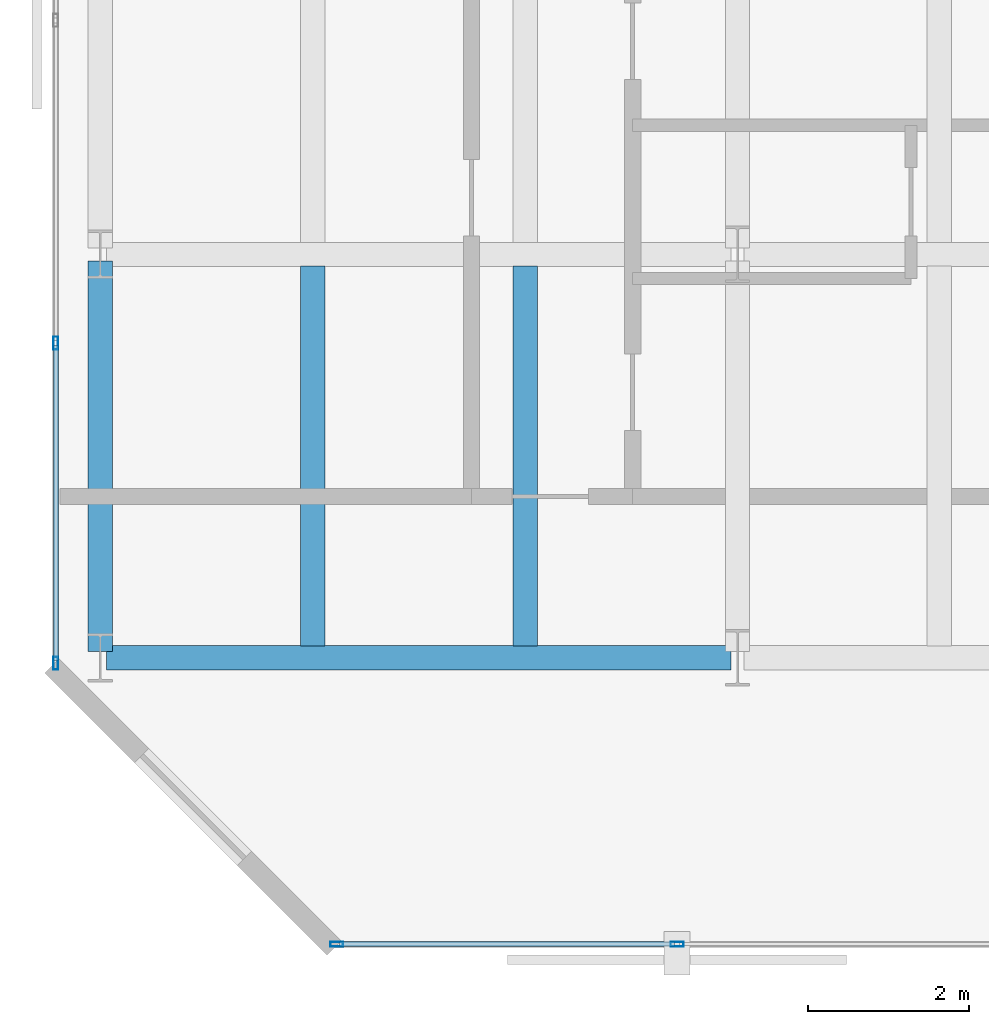
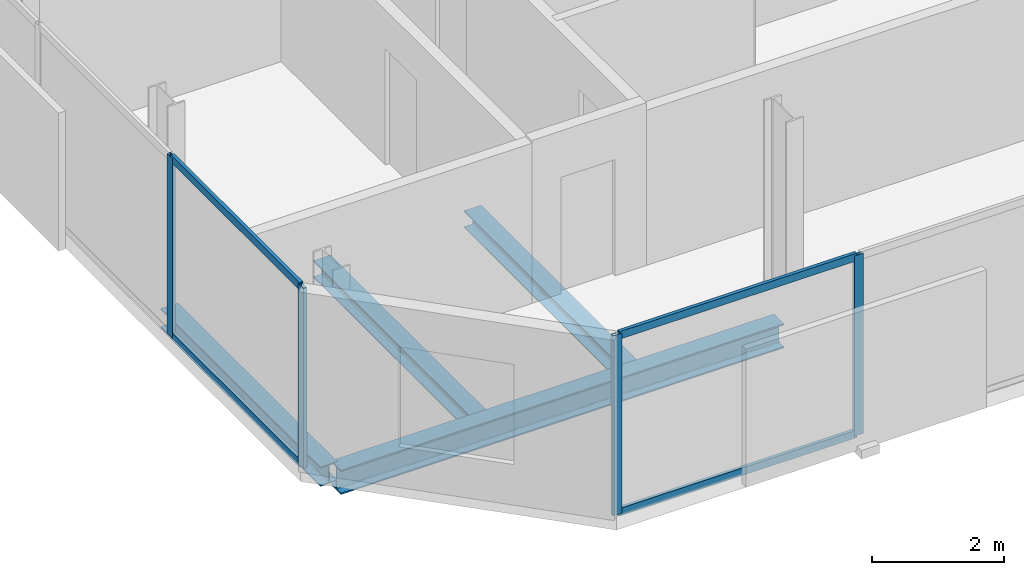
# One storey, part 3 of 32: 8 members, 4 beams, 2 elements without a shape of their own.
"""IFC4 building model written with IfcOpenShell, lengths in metres."""

from ifc_helpers import new_model, si_unit, direction, frame, origin, origin_2d, place, context, subcontext, project, spatial, hollow_rectangle, i_section, extrude, material, layer, layer_set, material_profile, profile_set, type_object, element, aggregate, save


model = new_model("IFC4")

# Units and contexts
model_context = context("Model", 3, precision=1e-05, world=origin(), true_north=direction((0.0, 1.0)))
body_context = subcontext(model_context, "Body", "Model", "MODEL_VIEW")
ifc_project = project(units=[si_unit("LENGTHUNIT", "METRE"), si_unit("AREAUNIT", "SQUARE_METRE"), si_unit("VOLUMEUNIT", "CUBIC_METRE"), si_unit("PLANEANGLEUNIT", "RADIAN"), si_unit("MASSUNIT", "GRAM", prefix="KILO")], contexts=[model_context])

# Site, building, storey
site_placement = place(None, origin())
site = spatial("IfcSite", under=ifc_project, at=site_placement, CompositionType="ELEMENT")
building_placement = place(site_placement, origin())
building = spatial("IfcBuilding", under=site, at=building_placement, Name="Catumbela Crestline Tower", CompositionType="ELEMENT")
storey_placement = place(building_placement, frame((0.0, 0.0, 129.6)))
storey = spatial("IfcBuildingStorey", under=building, at=storey_placement, Name="L33", CompositionType="ELEMENT", Elevation=129.6)

# Beams
ifc_material_1 = material(Name="Structural steel S355J2", Category="steel")
ifc_material_profile_1 = material_profile(ifc_material_1, i_section(OverallWidth=0.3, OverallDepth=0.45, WebThickness=0.014, FlangeThickness=0.026, FilletRadius=0.027, at=origin_2d()), Name="HEB 450")
ifc_profile_set_1 = profile_set([ifc_material_profile_1], Name="Structural steel S355J2")
beam_type_1 = type_object("IfcBeamType", Name="BG-HEB450", PredefinedType="BEAM", material=ifc_profile_set_1)
beam_1_placement = place(storey_placement, frame((0.68, 8.6, -0.485), z_axis=(1.0, 0.0, 0.0), x_axis=(0.0, 1.0, 0.0)))
element("IfcBeam", 1, at=beam_1_placement, inside=storey, type_object=beam_type_1, Name="L33 Beam BM-L33-WEW43", PredefinedType="BEAM", context=body_context, shape_type="SweptSolid", body=[
    extrude(i_section(OverallWidth=0.3, OverallDepth=0.45, WebThickness=0.014, FlangeThickness=0.026, FilletRadius=0.027, at=origin_2d()), origin(), (0.0, 0.0, 1.0), 7.74),
])
ifc_material_profile_2 = material_profile(ifc_material_1, i_section(OverallWidth=0.3, OverallDepth=0.31, WebThickness=0.009, FlangeThickness=0.0155, FilletRadius=0.027, at=origin_2d()), Name="HEA 320")
ifc_profile_set_2 = profile_set([ifc_material_profile_2], Name="Structural steel S355J2")
beam_type_2 = type_object("IfcBeamType", Name="BJ-HEA320", PredefinedType="JOIST", material=ifc_profile_set_2)
for number, where, z_axis, x_axis, name in (
    (2, (3.233, 8.747, -0.415), (0.0, 1.0, 0.0), (-1.0, 0.0, 0.0), "L33 Joist JS-L33-WG63"),
    (3, (5.867, 8.747, -0.415), (0.0, 1.0, 0.0), (-1.0, 0.0, 0.0), "L33 Joist JS-L33-WG64"),
):
    element("IfcBeam", number, at=place(storey_placement, frame(where, z_axis=z_axis, x_axis=x_axis)), inside=storey, type_object=beam_type_2, Name=name, PredefinedType="JOIST", context=body_context, shape_type="SweptSolid", body=[
        extrude(i_section(OverallWidth=0.3, OverallDepth=0.31, WebThickness=0.009, FlangeThickness=0.0155, FilletRadius=0.027, at=origin_2d()), origin(), (0.0, 0.0, 1.0), 4.706),
    ])

# Curtain wall, members
ifc_material_2 = material(Name="Aluminium alloy AW-6060-T66", Category="aluminium")
ifc_layer = layer(ifc_material_2, 0.18, Name="Aluminium alloy AW-6060-T66")
ifc_layer_set = layer_set([ifc_layer], Name="Aluminium alloy AW-6060-T66")
curtain_wall_type = type_object("IfcCurtainWallType", Name="CWU-Z2", PredefinedType="USERDEFINED", material=ifc_layer_set)
curtain_wall_1_placement = place(storey_placement, origin())
curtain_wall_1 = element("IfcCurtainWall", 4, at=curtain_wall_1_placement, inside=storey, type_object=curtain_wall_type, Name="L33 Unitised Curtain Wall CW-L33-E0S1", ObjectType="UNITISED", PredefinedType="USERDEFINED")
ifc_material_profile_3 = material_profile(ifc_material_2, hollow_rectangle(XDim=0.06, YDim=0.16, WallThickness=0.004, at=origin_2d()), Name="ALU 160x60x4")
ifc_profile_set_3 = profile_set([ifc_material_profile_3], Name="Aluminium alloy AW-6060-T66")
member_type_1 = type_object("IfcMemberType", Name="MUL-160X60", PredefinedType="MULLION", material=ifc_profile_set_3)
member_1_placement = place(storey_placement, frame((3.5325, 5.05, 0.0), z_axis=(0.0, 0.0, 1.0), x_axis=(0.0, 1.0, 0.0)))
member_1 = element("IfcMember", 5, at=member_1_placement, type_object=member_type_1, Name="CWU-Z2 mullion 1", PredefinedType="MULLION", context=body_context, shape_type="SweptSolid", body=[
    extrude(hollow_rectangle(XDim=0.06, YDim=0.16, WallThickness=0.004, at=origin_2d()), origin(), (0.0, 0.0, 1.0), 3.33),
])
member_2_placement = place(storey_placement, frame((7.75, 5.05, 0.0), z_axis=(0.0, 0.0, 1.0), x_axis=(0.0, 1.0, 0.0)))
member_2 = element("IfcMember", 6, at=member_2_placement, type_object=member_type_1, Name="CWU-Z2 mullion 2", PredefinedType="MULLION", context=body_context, shape_type="SweptSolid", body=[
    extrude(hollow_rectangle(XDim=0.06, YDim=0.16, WallThickness=0.004, at=origin_2d()), origin(), (0.0, 0.0, 1.0), 3.33),
])

curtain_wall_2_placement = place(storey_placement, origin())
curtain_wall_2 = element("IfcCurtainWall", 7, at=curtain_wall_2_placement, inside=storey, type_object=curtain_wall_type, Name="L33 Unitised Curtain Wall CW-L33-E9S1", ObjectType="UNITISED", PredefinedType="USERDEFINED")
member_3_placement = place(storey_placement, frame((0.05, 12.5, 0.0), z_axis=(0.0, 0.0, 1.0), x_axis=(1.0, 0.0, 0.0)))
member_3 = element("IfcMember", 8, at=member_3_placement, type_object=member_type_1, Name="CWU-Z2 mullion 9", PredefinedType="MULLION", context=body_context, shape_type="SweptSolid", body=[
    extrude(hollow_rectangle(XDim=0.06, YDim=0.16, WallThickness=0.004, at=origin_2d()), origin(), (0.0, 0.0, 1.0), 3.33),
])
member_4_placement = place(storey_placement, frame((0.05, 8.5325, 0.0), z_axis=(0.0, 0.0, 1.0), x_axis=(1.0, 0.0, 0.0)))
member_4 = element("IfcMember", 9, at=member_4_placement, type_object=member_type_1, Name="CWU-Z2 mullion 10", PredefinedType="MULLION", context=body_context, shape_type="SweptSolid", body=[
    extrude(hollow_rectangle(XDim=0.06, YDim=0.16, WallThickness=0.004, at=origin_2d()), origin(), (0.0, 0.0, 1.0), 3.33),
])

# Beam
ifc_material_profile_4 = material_profile(ifc_material_1, i_section(OverallWidth=0.3, OverallDepth=0.36, WebThickness=0.0125, FlangeThickness=0.0225, FilletRadius=0.027, at=origin_2d()), Name="HEB 360")
ifc_profile_set_4 = profile_set([ifc_material_profile_4], Name="Structural steel S355J2")
beam_type_3 = type_object("IfcBeamType", Name="BS-HEB360", PredefinedType="SPANDREL", material=ifc_profile_set_4)
beam_2_placement = place(storey_placement, frame((0.6, 8.68, -0.44), z_axis=(0.0, 1.0, 0.0), x_axis=(-1.0, 0.0, 0.0)))
element("IfcBeam", 10, at=beam_2_placement, inside=storey, type_object=beam_type_3, Name="L33 Spandrel SP-L33-WNS52", PredefinedType="SPANDREL", context=body_context, shape_type="SweptSolid", body=[
    extrude(i_section(OverallWidth=0.3, OverallDepth=0.36, WebThickness=0.0125, FlangeThickness=0.0225, FilletRadius=0.027, at=origin_2d()), origin(), (0.0, 0.0, 1.0), 4.84),
])

# Member
ifc_material_profile_5 = material_profile(ifc_material_2, hollow_rectangle(XDim=0.06, YDim=0.14, WallThickness=0.004, at=origin_2d()), Name="ALU 140x60x4")
ifc_profile_set_5 = profile_set([ifc_material_profile_5], Name="Aluminium alloy AW-6060-T66")
member_type_2 = type_object("IfcMemberType", Name="TRN-140X60", PredefinedType="USERDEFINED", material=ifc_profile_set_5)
member_5_placement = place(storey_placement, frame((3.565, 5.05, 0.03), z_axis=(1.0, 0.0, 0.0), x_axis=(0.0, 1.0, 0.0)))
member_5 = element("IfcMember", 11, at=member_5_placement, type_object=member_type_2, Name="CWU-Z2 transom 1.1", ObjectType="TRANSOM", PredefinedType="USERDEFINED", context=body_context, shape_type="SweptSolid", body=[
    extrude(hollow_rectangle(XDim=0.06, YDim=0.14, WallThickness=0.004, at=origin_2d()), origin(), (0.0, 0.0, 1.0), 4.1525),
])

member_6_placement = place(storey_placement, frame((3.565, 5.05, 3.3), z_axis=(1.0, 0.0, 0.0), x_axis=(0.0, 1.0, 0.0)))
member_6 = element("IfcMember", 12, at=member_6_placement, type_object=member_type_2, Name="CWU-Z2 transom 1.2", ObjectType="TRANSOM", PredefinedType="USERDEFINED", context=body_context, shape_type="SweptSolid", body=[
    extrude(hollow_rectangle(XDim=0.06, YDim=0.14, WallThickness=0.004, at=origin_2d()), origin(), (0.0, 0.0, 1.0), 4.1525),
])

aggregate(curtain_wall_1, [member_1, member_2, member_5, member_6])

member_7_placement = place(storey_placement, frame((0.05, 12.4675, 0.03), z_axis=(0.0, -1.0, 0.0), x_axis=(1.0, 0.0, 0.0)))
member_7 = element("IfcMember", 13, at=member_7_placement, type_object=member_type_2, Name="CWU-Z2 transom 9.1", ObjectType="TRANSOM", PredefinedType="USERDEFINED", context=body_context, shape_type="SweptSolid", body=[
    extrude(hollow_rectangle(XDim=0.06, YDim=0.14, WallThickness=0.004, at=origin_2d()), origin(), (0.0, 0.0, 1.0), 3.9025),
])

member_8_placement = place(storey_placement, frame((0.05, 12.4675, 3.3), z_axis=(0.0, -1.0, 0.0), x_axis=(1.0, 0.0, 0.0)))
member_8 = element("IfcMember", 14, at=member_8_placement, type_object=member_type_2, Name="CWU-Z2 transom 9.2", ObjectType="TRANSOM", PredefinedType="USERDEFINED", context=body_context, shape_type="SweptSolid", body=[
    extrude(hollow_rectangle(XDim=0.06, YDim=0.14, WallThickness=0.004, at=origin_2d()), origin(), (0.0, 0.0, 1.0), 3.9025),
])

aggregate(curtain_wall_2, [member_3, member_4, member_7, member_8])

save(model, "model.ifc")
